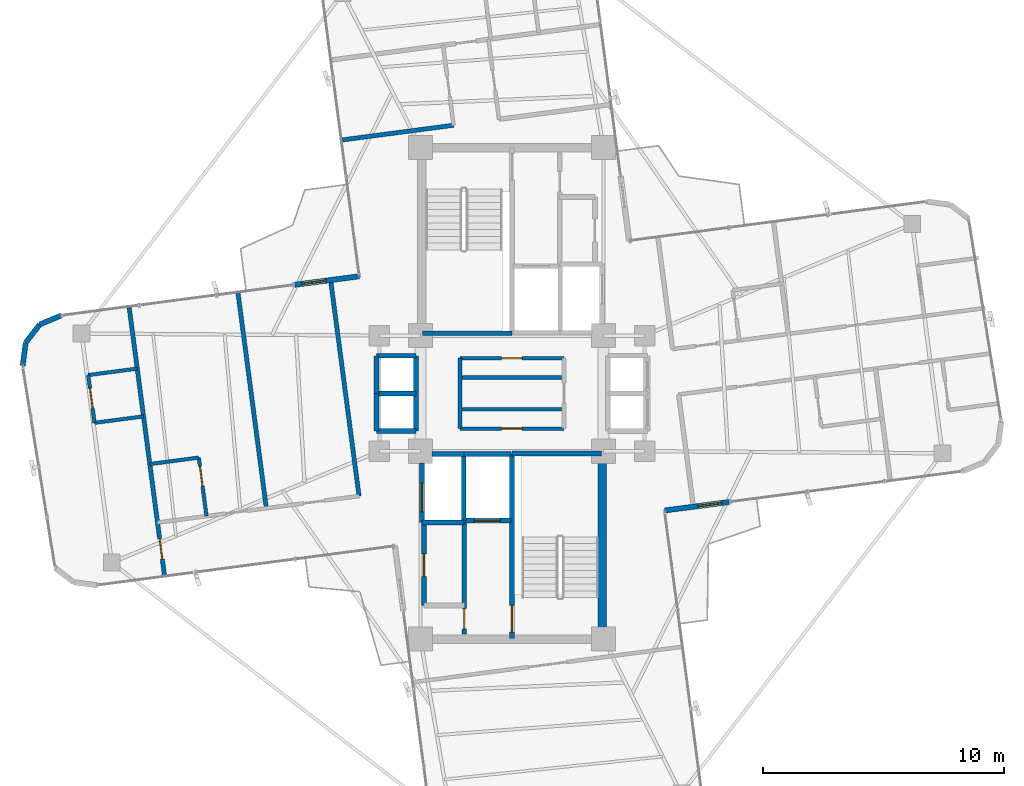
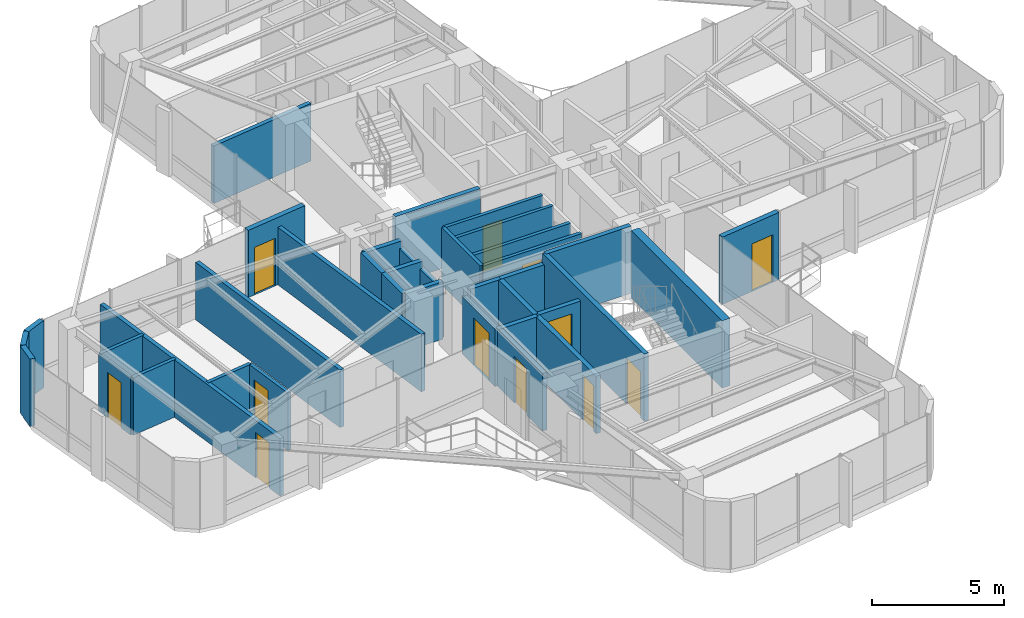
# One storey, part 18 of 21: 37 walls, 12 doors, 12 openings.
"""IFC4 building model written with IfcOpenShell, lengths in metres."""

from ifc_helpers import new_model, si_unit, direction, frame, frame_2d, origin, origin_2d, place, context, subcontext, project, spatial, rectangle, extrude, source, transform, mapped, material, layer, layer_set, type_object, element, fill, save


model = new_model("IFC4")

# Units and contexts
model_context = context("Model", 3, precision=1e-05, world=origin(), true_north=direction((0.0, 1.0)))
body_context = subcontext(model_context, "Body", "Model", "MODEL_VIEW")
ifc_project = project(units=[si_unit("LENGTHUNIT", "METRE"), si_unit("AREAUNIT", "SQUARE_METRE"), si_unit("VOLUMEUNIT", "CUBIC_METRE"), si_unit("PLANEANGLEUNIT", "RADIAN"), si_unit("MASSUNIT", "GRAM", prefix="KILO")], contexts=[model_context])

# Site, building, storey
site_placement = place(None, origin())
site = spatial("IfcSite", under=ifc_project, at=site_placement, CompositionType="ELEMENT")
building_placement = place(site_placement, origin())
building = spatial("IfcBuilding", under=site, at=building_placement, Name="Sahyath Konkavel Grand Hotel", CompositionType="ELEMENT")
storey_placement = place(building_placement, frame((0.0, 0.0, 219.89990234375)))
storey = spatial("IfcBuildingStorey", under=building, at=storey_placement, Name="L61", CompositionType="ELEMENT", Elevation=219.89990234375)

# Wall
ifc_material_1 = material(Name="Concrete C40/50", Category="concrete")
ifc_layer_1 = layer(ifc_material_1, 0.35009765625)
ifc_layer_set_1 = layer_set([ifc_layer_1], Name="Concrete C40/50")
wall_type_1 = type_object("IfcWallType", Name="CWALL-350", PredefinedType="SHEAR", material=ifc_layer_set_1)
wall_1_placement = place(storey_placement, frame((3.739990234375, -9.75, 0.0), z_axis=(0.0, 0.0, 1.0), x_axis=(0.0, 1.0, 0.0)))
element("IfcWall", 1, at=wall_1_placement, inside=storey, type_object=wall_type_1, Name="L61 South Core Shear Wall E", PredefinedType="SHEAR", context=body_context, shape_type="SweptSolid", body=[
    extrude(rectangle(XDim=6.89990234375, YDim=0.35009765625, at=frame_2d((3.449951171875, 0.0))), origin(), (0.0, 0.0, 1.0), 3.110107421875),
])

# Wall, opening, door
ifc_material_2 = material(Name="Warm Buff Sandstone Insulated Concrete C40/50", Category="masonry")
ifc_layer_2 = layer(ifc_material_2, 0.219970703125)
ifc_layer_set_2 = layer_set([ifc_layer_2], Name="Warm Buff Sandstone Insulated Concrete C40/50")
wall_type_2 = type_object("IfcWallType", Name="WLL-BALC-THRESH", PredefinedType="STANDARD", material=ifc_layer_set_2)
wall_2_placement = place(storey_placement, frame((6.334716796875, -4.860595703125, 0.0), z_axis=(0.0, 0.0, 1.0), x_axis=(0.991449985986, 0.130487261016, 0.0)))
wall_2 = element("IfcWall", 2, at=wall_2_placement, inside=storey, type_object=wall_type_2, Name="L61 Winter-Garden Threshold Wall 0", PredefinedType="STANDARD", context=body_context, shape_type="SweptSolid", body=[
    extrude(rectangle(XDim=2.699951171875, YDim=0.219970703125, at=frame_2d((1.35009765625, 0.0))), origin(), (0.0, 0.0, 1.0), 3.110107421875),
])
opening_1_placement = place(wall_2_placement, frame((1.39990234375, 0.0, 0.0)))
opening_1 = element("IfcOpeningElement", 3, at=opening_1_placement, cuts=wall_2, Name="Opening D-TR1", PredefinedType="OPENING", context=body_context, shape_type="SweptSolid", body=[
    extrude(rectangle(XDim=1.0, YDim=2.199951171875, at=frame_2d((0.5, 1.10009765625))), frame((0.0, 0.1201171875, 0.0), z_axis=(0.0, -1.0, 0.0), x_axis=(1.0, 0.0, 0.0)), (0.0, 0.0, 1.0), 0.239990234375),
])
ifc_material_3 = material(Name="Anodised Bronze Aluminium & Low-E Glazing", Category="aluminium")
door_type_1 = type_object("IfcDoorType", Name="DR-TERRACE-1000", OperationType="NOTDEFINED", PredefinedType="DOOR", material=ifc_material_3)
shared_shape_1 = source(origin(), body_context, "Body", "SweptSolid", [
    extrude(rectangle(XDim=1.0, YDim=0.050048828125, at=origin_2d()), origin(), (0.0, 0.0, 1.0), 2.199951171875),
])
door_1_placement = place(opening_1_placement, frame((0.5, 0.0, 0.0)))
door_1 = element("IfcDoor", 4, at=door_1_placement, inside=storey, type_object=door_type_1, Name="L61 Winter-Garden Terrace Door 0", OperationType="SINGLE_SWING_LEFT", OverallHeight=2.199951171875, OverallWidth=1.0, PredefinedType="DOOR", context=body_context, shape_type="MappedRepresentation", body=[
    mapped(shared_shape_1, transform((0.0, 0.0, 0.0), scale=1.0)),
])
fill(opening_1, door_1)

wall_3_placement = place(storey_placement, frame((-6.334716796875, 4.860595703125, 0.0), z_axis=(0.0, 0.0, 1.0), x_axis=(-0.991449985986, -0.130487261016, 0.0)))
wall_3 = element("IfcWall", 5, at=wall_3_placement, inside=storey, type_object=wall_type_2, Name="L61 Winter-Garden Threshold Wall 16", PredefinedType="STANDARD", context=body_context, shape_type="SweptSolid", body=[
    extrude(rectangle(XDim=2.699951171875, YDim=0.219970703125, at=frame_2d((1.35009765625, 0.0))), origin(), (0.0, 0.0, 1.0), 3.110107421875),
])
opening_2_placement = place(wall_3_placement, frame((1.39990234375, 0.0, 0.0)))
opening_2 = element("IfcOpeningElement", 6, at=opening_2_placement, cuts=wall_3, Name="Opening D-TR1", PredefinedType="OPENING", context=body_context, shape_type="SweptSolid", body=[
    extrude(rectangle(XDim=1.0, YDim=2.199951171875, at=frame_2d((0.5, 1.10009765625))), frame((0.0, 0.1201171875, 0.0), z_axis=(0.0, -1.0, 0.0), x_axis=(1.0, 0.0, 0.0)), (0.0, 0.0, 1.0), 0.239990234375),
])
door_2_placement = place(opening_2_placement, frame((0.5, 0.0, 0.0)))
door_2 = element("IfcDoor", 7, at=door_2_placement, inside=storey, type_object=door_type_1, Name="L61 Winter-Garden Terrace Door 16", OperationType="SINGLE_SWING_LEFT", OverallHeight=2.199951171875, OverallWidth=1.0, PredefinedType="DOOR", context=body_context, shape_type="MappedRepresentation", body=[
    mapped(shared_shape_1, transform((0.0, 0.0, 0.0), scale=1.0)),
])
fill(opening_2, door_2)

# Walls
wall_4_placement = place(storey_placement, frame((-18.71875, 3.230224609375, 0.0), z_axis=(0.0, 0.0, 1.0), x_axis=(-0.923979554509, -0.382441868588, 0.0)))
element("IfcWall", 8, at=wall_4_placement, inside=storey, type_object=wall_type_2, Name="L61 Rounded Corner Sandstone Pier 17", PredefinedType="STANDARD", context=body_context, shape_type="SweptSolid", body=[
    extrude(rectangle(XDim=0.95751953125, YDim=0.219970703125, at=frame_2d((0.478759765625, 0.0))), origin(), (0.0, 0.0, 1.0), 3.110107421875),
])
wall_5_placement = place(storey_placement, frame((-19.603515625, 2.864013671875, 0.0), z_axis=(0.0, 0.0, 1.0), x_axis=(-0.60865090536, -0.79343813584, 0.0)))
element("IfcWall", 9, at=wall_5_placement, inside=storey, type_object=wall_type_2, Name="L61 Rounded Corner Sandstone Pier 18", PredefinedType="STANDARD", context=body_context, shape_type="SweptSolid", body=[
    extrude(rectangle(XDim=0.957763671875, YDim=0.219970703125, at=frame_2d((0.47900390625, 0.0))), origin(), (0.0, 0.0, 1.0), 3.110107421875),
])
wall_6_placement = place(storey_placement, frame((-20.1865234375, 2.10400390625, 0.0), z_axis=(0.0, 0.0, 1.0), x_axis=(-0.13056005306, -0.991440402921, 0.0)))
element("IfcWall", 10, at=wall_6_placement, inside=storey, type_object=wall_type_2, Name="L61 Rounded Corner Sandstone Pier 19", PredefinedType="STANDARD", context=body_context, shape_type="SweptSolid", body=[
    extrude(rectangle(XDim=0.95751953125, YDim=0.219970703125, at=frame_2d((0.478759765625, 0.0))), origin(), (0.0, 0.0, 1.0), 3.110107421875),
])
ifc_layer_3 = layer(ifc_material_1, 0.199951171875)
ifc_layer_set_3 = layer_set([ifc_layer_3], Name="Concrete C40/50")
wall_type_3 = type_object("IfcWallType", Name="WLL-CORE-200", PredefinedType="SOLIDWALL", material=ifc_layer_set_3)
wall_7_placement = place(storey_placement, frame((-3.719970703125, 2.5, 0.0), z_axis=(0.0, 0.0, 1.0), x_axis=(1.0, 0.0, 0.0)))
element("IfcWall", 11, at=wall_7_placement, inside=storey, type_object=wall_type_3, Name="L61 Stair ST-1 Shaft Wall S", PredefinedType="SOLIDWALL", context=body_context, shape_type="SweptSolid", body=[
    extrude(rectangle(XDim=3.719970703125, YDim=0.199951171875, at=frame_2d((1.85986328125, 0.0))), origin(), (0.0, 0.0, 1.0), 3.110107421875),
])

# Wall, opening, door
wall_8_placement = place(storey_placement, frame((0.0, -10.179931640625, 0.0), z_axis=(0.0, 0.0, 1.0), x_axis=(0.0, 1.0, 0.0)))
wall_8 = element("IfcWall", 12, at=wall_8_placement, inside=storey, type_object=wall_type_3, Name="L61 Stair ST-2 Shaft Wall W", PredefinedType="SOLIDWALL", context=body_context, shape_type="SweptSolid", body=[
    extrude(rectangle(XDim=7.679931640625, YDim=0.199951171875, at=frame_2d((3.83984375, 0.0))), origin(), (0.0, 0.0, 1.0), 3.110107421875),
])
opening_3_placement = place(wall_8_placement, frame((0.280029296875, 0.0, 0.0)))
opening_3 = element("IfcOpeningElement", 13, at=opening_3_placement, cuts=wall_8, Name="Opening D-F12B", PredefinedType="OPENING", context=body_context, shape_type="SweptSolid", body=[
    extrude(rectangle(XDim=1.10009765625, YDim=2.14990234375, at=frame_2d((0.550048828125, 1.074951171875))), frame((0.0, 0.10986328125, 0.0), z_axis=(0.0, -1.0, 0.0), x_axis=(1.0, 0.0, 0.0)), (0.0, 0.0, 1.0), 0.219970703125),
])
ifc_material_4 = material(Name="Steel E350 Smokeproof Fire Door", Category="steel")
door_type_2 = type_object("IfcDoorType", Name="DR-FD120-1100", OperationType="NOTDEFINED", PredefinedType="DOOR", material=ifc_material_4)
shared_shape_2 = source(origin(), body_context, "Body", "SweptSolid", [
    extrude(rectangle(XDim=1.10009765625, YDim=0.050048828125, at=origin_2d()), origin(), (0.0, 0.0, 1.0), 2.14990234375),
])
door_3_placement = place(opening_3_placement, frame((0.550048828125, 0.0, 0.0)))
door_3 = element("IfcDoor", 14, at=door_3_placement, inside=storey, type_object=door_type_2, Name="L61 Stair ST-2 Fire Door", OperationType="SINGLE_SWING_RIGHT", OverallHeight=2.14990234375, OverallWidth=1.10009765625, PredefinedType="DOOR", context=body_context, shape_type="MappedRepresentation", body=[
    mapped(shared_shape_2, transform((0.0, 0.0, 0.0), scale=1.0)),
])
fill(opening_3, door_3)

# Wall
wall_9_placement = place(storey_placement, frame((0.0, -2.5, 0.0), z_axis=(0.0, 0.0, 1.0), x_axis=(1.0, 0.0, 0.0)))
element("IfcWall", 15, at=wall_9_placement, inside=storey, type_object=wall_type_3, Name="L61 Stair ST-2 Shaft Wall N", PredefinedType="SOLIDWALL", context=body_context, shape_type="SweptSolid", body=[
    extrude(rectangle(XDim=3.719970703125, YDim=0.199951171875, at=frame_2d((1.85986328125, 0.0))), origin(), (0.0, 0.0, 1.0), 3.110107421875),
])

# Wall, opening, door
wall_10_placement = place(storey_placement, frame((-1.97998046875, -9.97998046875, 0.0), z_axis=(0.0, 0.0, 1.0), x_axis=(0.0, 1.0, 0.0)))
wall_10 = element("IfcWall", 16, at=wall_10_placement, inside=storey, type_object=wall_type_3, Name="L61 South Firefighting Lobby Wall W", PredefinedType="SOLIDWALL", context=body_context, shape_type="SweptSolid", body=[
    extrude(rectangle(XDim=4.659912109375, YDim=0.199951171875, at=frame_2d((2.330078125, 0.0))), origin(), (0.0, 0.0, 1.0), 2.66015625),
])
opening_4_placement = place(wall_10_placement, frame((0.199951171875, 0.0, 0.0)))
opening_4 = element("IfcOpeningElement", 17, at=opening_4_placement, cuts=wall_10, Name="Opening D-F12D", PredefinedType="OPENING", context=body_context, shape_type="SweptSolid", body=[
    extrude(rectangle(XDim=0.85009765625, YDim=2.10009765625, at=frame_2d((0.425048828125, 1.050048828125))), frame((0.0, 0.10986328125, 0.0), z_axis=(0.0, -1.0, 0.0), x_axis=(1.0, 0.0, 0.0)), (0.0, 0.0, 1.0), 0.219970703125),
])
ifc_material_5 = material(Name="Steel E350 Core Fire Door", Category="steel")
door_type_3 = type_object("IfcDoorType", Name="DR-FD120-850", OperationType="NOTDEFINED", PredefinedType="DOOR", material=ifc_material_5)
shared_shape_3 = source(origin(), body_context, "Body", "SweptSolid", [
    extrude(rectangle(XDim=0.85009765625, YDim=0.050048828125, at=origin_2d()), origin(), (0.0, 0.0, 1.0), 2.10009765625),
])
door_4_placement = place(opening_4_placement, frame((0.425048828125, 0.0, 0.0)))
door_4 = element("IfcDoor", 18, at=door_4_placement, inside=storey, type_object=door_type_3, Name="L61 South Firefighting Lobby Door", OperationType="SINGLE_SWING_RIGHT", OverallHeight=2.10009765625, OverallWidth=0.85009765625, PredefinedType="DOOR", context=body_context, shape_type="MappedRepresentation", body=[
    mapped(shared_shape_3, transform((0.0, 0.0, 0.0), scale=1.0)),
])
fill(opening_4, door_4)

# Walls
wall_11_placement = place(storey_placement, frame((-2.0, -5.280029296875, 0.0), z_axis=(0.0, 0.0, 1.0), x_axis=(0.0, 1.0, 0.0)))
element("IfcWall", 19, at=wall_11_placement, inside=storey, type_object=wall_type_3, Name="L61 Partition SH-FFL2-W", PredefinedType="SOLIDWALL", context=body_context, shape_type="SweptSolid", body=[
    extrude(rectangle(XDim=2.780029296875, YDim=0.199951171875, at=frame_2d((1.39013671875, 0.0))), origin(), (0.0, 0.0, 1.0), 2.66015625),
])
wall_12_placement = place(storey_placement, frame((-2.0, -2.52001953125, 0.0), z_axis=(0.0, 0.0, 1.0), x_axis=(1.0, 0.0, 0.0)))
element("IfcWall", 20, at=wall_12_placement, inside=storey, type_object=wall_type_3, Name="L61 Partition SH-FFL2-N", PredefinedType="SOLIDWALL", context=body_context, shape_type="SweptSolid", body=[
    extrude(rectangle(XDim=1.949951171875, YDim=0.199951171875, at=frame_2d((0.97509765625, 0.0))), origin(), (0.0, 0.0, 1.0), 2.66015625),
])

# Wall, opening, door
wall_13_placement = place(storey_placement, frame((-1.97998046875, -5.280029296875, 0.0), z_axis=(0.0, 0.0, 1.0), x_axis=(1.0, 0.0, 0.0)))
wall_13 = element("IfcWall", 21, at=wall_13_placement, inside=storey, type_object=wall_type_3, Name="L61 Partition SH-FFL2-S", PredefinedType="SOLIDWALL", context=body_context, shape_type="SweptSolid", body=[
    extrude(rectangle(XDim=1.929931640625, YDim=0.199951171875, at=frame_2d((0.96484375, 0.0))), origin(), (0.0, 0.0, 1.0), 2.66015625),
])
opening_5_placement = place(wall_13_placement, frame((0.39990234375, 0.0, 0.0)))
opening_5 = element("IfcOpeningElement", 22, at=opening_5_placement, cuts=wall_13, Name="Opening LD-11", PredefinedType="OPENING", context=body_context, shape_type="SweptSolid", body=[
    extrude(rectangle(XDim=1.10009765625, YDim=2.199951171875, at=frame_2d((0.550048828125, 1.10009765625))), frame((0.0, 0.10986328125, 0.0), z_axis=(0.0, -1.0, 0.0), x_axis=(1.0, 0.0, 0.0)), (0.0, 0.0, 1.0), 0.219970703125),
])
ifc_material_6 = material(Name="Bronze Lift Landing Door 1100")
door_type_4 = type_object("IfcDoorType", Name="DR-LIFT-1100", OperationType="DOUBLE_DOOR_SLIDING", PredefinedType="DOOR", material=ifc_material_6)
shared_shape_4 = source(origin(), body_context, "Body", "SweptSolid", [
    extrude(rectangle(XDim=1.10009765625, YDim=0.050048828125, at=origin_2d()), origin(), (0.0, 0.0, 1.0), 2.199951171875),
])
door_5_placement = place(opening_5_placement, frame((0.550048828125, 0.0, 0.0)))
door_5 = element("IfcDoor", 23, at=door_5_placement, inside=storey, type_object=door_type_4, Name="L61 Lift FFL-2 Landing Door", OperationType="DOUBLE_DOOR_SLIDING", OverallHeight=2.199951171875, OverallWidth=1.10009765625, PredefinedType="DOOR", context=body_context, shape_type="MappedRepresentation", body=[
    mapped(shared_shape_4, transform((0.0, 0.0, 0.0), scale=1.0)),
])
fill(opening_5, door_5)

# Walls
wall_14_placement = place(storey_placement, frame((-3.320068359375, -2.52001953125, 0.0), z_axis=(0.0, 0.0, 1.0), x_axis=(1.0, 0.0, 0.0)))
element("IfcWall", 24, at=wall_14_placement, inside=storey, type_object=wall_type_3, Name="L61 Partition SH-SVL2-N", PredefinedType="SOLIDWALL", context=body_context, shape_type="SweptSolid", body=[
    extrude(rectangle(XDim=1.320068359375, YDim=0.199951171875, at=frame_2d((0.66015625, 0.0))), origin(), (0.0, 0.0, 1.0), 2.66015625),
])
wall_15_placement = place(storey_placement, frame((-3.739990234375, -5.360107421875, 0.0), z_axis=(0.0, 0.0, 1.0), x_axis=(1.0, 0.0, 0.0)))
element("IfcWall", 25, at=wall_15_placement, inside=storey, type_object=wall_type_3, Name="L61 Partition SH-SVL2-S", PredefinedType="SOLIDWALL", context=body_context, shape_type="SweptSolid", body=[
    extrude(rectangle(XDim=1.739990234375, YDim=0.199951171875, at=frame_2d((0.8701171875, 0.0))), origin(), (0.0, 0.0, 1.0), 2.66015625),
])

# Wall, opening, door
wall_16_placement = place(storey_placement, frame((-3.739990234375, -5.360107421875, 0.0), z_axis=(0.0, 0.0, 1.0), x_axis=(0.0, 1.0, 0.0)))
wall_16 = element("IfcWall", 26, at=wall_16_placement, inside=storey, type_object=wall_type_3, Name="L61 Partition SH-SVL2-W", PredefinedType="SOLIDWALL", context=body_context, shape_type="SweptSolid", body=[
    extrude(rectangle(XDim=2.480224609375, YDim=0.199951171875, at=frame_2d((1.240234375, 0.0))), origin(), (0.0, 0.0, 1.0), 2.66015625),
])
opening_6_placement = place(wall_16_placement, frame((0.43994140625, 0.0, 0.0)))
opening_6 = element("IfcOpeningElement", 27, at=opening_6_placement, cuts=wall_16, Name="Opening LD-12", PredefinedType="OPENING", context=body_context, shape_type="SweptSolid", body=[
    extrude(rectangle(XDim=1.199951171875, YDim=2.199951171875, at=frame_2d((0.60009765625, 1.10009765625))), frame((0.0, 0.10986328125, 0.0), z_axis=(0.0, -1.0, 0.0), x_axis=(1.0, 0.0, 0.0)), (0.0, 0.0, 1.0), 0.219970703125),
])
ifc_material_7 = material(Name="Stainless Steel Lift Landing Door 1200", Category="steel")
door_type_5 = type_object("IfcDoorType", Name="DR-LIFT-1200", OperationType="DOUBLE_DOOR_SLIDING", PredefinedType="DOOR", material=ifc_material_7)
shared_shape_5 = source(origin(), body_context, "Body", "SweptSolid", [
    extrude(rectangle(XDim=1.199951171875, YDim=0.050048828125, at=origin_2d()), origin(), (0.0, 0.0, 1.0), 2.199951171875),
])
door_6_placement = place(opening_6_placement, frame((0.60009765625, 0.0, 0.0)))
door_6 = element("IfcDoor", 28, at=door_6_placement, inside=storey, type_object=door_type_5, Name="L61 Service Lift SVL-2 Landing Door", OperationType="DOUBLE_DOOR_SLIDING", OverallHeight=2.199951171875, OverallWidth=1.199951171875, PredefinedType="DOOR", context=body_context, shape_type="MappedRepresentation", body=[
    mapped(shared_shape_5, transform((0.0, 0.0, 0.0), scale=1.0)),
])
fill(opening_6, door_6)

# Walls
wall_17_placement = place(storey_placement, frame((-3.97998046875, -1.56005859375, 0.0), z_axis=(0.0, 0.0, 1.0), x_axis=(0.0, 1.0, 0.0)))
element("IfcWall", 29, at=wall_17_placement, inside=storey, type_object=wall_type_3, Name="L61 Partition SH-SL12-E", PredefinedType="SOLIDWALL", context=body_context, shape_type="SweptSolid", body=[
    extrude(rectangle(XDim=3.1201171875, YDim=0.199951171875, at=frame_2d((1.56005859375, 0.0))), origin(), (0.0, 0.0, 1.0), 2.330078125),
])
for number, where, z_axis, x_axis, name in (
    (30, (-5.6201171875, 1.56005859375, 0.0), (0.0, 0.0, 1.0), (1.0, 0.0, 0.0), "L61 Partition SH-SL12-N"),
    (31, (-5.6201171875, -1.56005859375, 0.0), (0.0, 0.0, 1.0), (1.0, 0.0, 0.0), "L61 Partition SH-SL12-S"),
    (32, (-5.6201171875, 0.0, 0.0), (0.0, 0.0, 1.0), (1.0, 0.0, 0.0), "L61 Partition SH-SL12-M"),
):
    element("IfcWall", number, at=place(storey_placement, frame(where, z_axis=z_axis, x_axis=x_axis)), inside=storey, type_object=wall_type_3, Name=name, PredefinedType="SOLIDWALL", context=body_context, shape_type="SweptSolid", body=[
        extrude(rectangle(XDim=1.64013671875, YDim=0.199951171875, at=frame_2d((0.820068359375, 0.0))), origin(), (0.0, 0.0, 1.0), 2.66015625),
    ])
for number, where, z_axis, x_axis, name in (
    (33, (-5.6201171875, 0.0, 0.0), (0.0, 0.0, 1.0), (0.0, 1.0, 0.0), "L61 Partition SH-SL1-W"),
    (34, (-5.6201171875, -1.56005859375, 0.0), (0.0, 0.0, 1.0), (0.0, 1.0, 0.0), "L61 Partition SH-SL2-W"),
):
    element("IfcWall", number, at=place(storey_placement, frame(where, z_axis=z_axis, x_axis=x_axis)), inside=storey, type_object=wall_type_3, Name=name, PredefinedType="SOLIDWALL", context=body_context, shape_type="SweptSolid", body=[
        extrude(rectangle(XDim=1.56005859375, YDim=0.199951171875, at=frame_2d((0.780029296875, 0.0))), origin(), (0.0, 0.0, 1.0), 2.66015625),
    ])

# Wall, opening, door
wall_18_placement = place(storey_placement, frame((-3.64990234375, -8.81005859375, 0.0), z_axis=(0.0, 0.0, 1.0), x_axis=(0.0, 1.0, 0.0)))
wall_18 = element("IfcWall", 35, at=wall_18_placement, inside=storey, type_object=wall_type_3, Name="L61 Reclaimed South Core Wall W", PredefinedType="SOLIDWALL", context=body_context, shape_type="SweptSolid", body=[
    extrude(rectangle(XDim=3.43017578125, YDim=0.199951171875, at=frame_2d((1.715087890625, 0.0))), origin(), (0.0, 0.0, 1.0), 2.66015625),
])
opening_7_placement = place(wall_18_placement, frame((1.199951171875, 0.0, 0.0)))
opening_7 = element("IfcOpeningElement", 36, at=opening_7_placement, cuts=wall_18, Name="Opening D-AC95", PredefinedType="OPENING", context=body_context, shape_type="SweptSolid", body=[
    extrude(rectangle(XDim=0.949951171875, YDim=2.14990234375, at=frame_2d((0.47509765625, 1.074951171875))), frame((0.0, 0.10986328125, 0.0), z_axis=(0.0, -1.0, 0.0), x_axis=(1.0, 0.0, 0.0)), (0.0, 0.0, 1.0), 0.219970703125),
])
ifc_material_8 = material(Name="Accessible Washroom Timber Door", Category="wood")
door_type_6 = type_object("IfcDoorType", Name="DR-ACC-950", OperationType="NOTDEFINED", PredefinedType="DOOR", material=ifc_material_8)
shared_shape_6 = source(origin(), body_context, "Body", "SweptSolid", [
    extrude(rectangle(XDim=0.949951171875, YDim=0.050048828125, at=origin_2d()), origin(), (0.0, 0.0, 1.0), 2.14990234375),
])
door_7_placement = place(opening_7_placement, frame((0.47509765625, 0.0, 0.0)))
door_7 = element("IfcDoor", 37, at=door_7_placement, inside=storey, type_object=door_type_6, Name="L61 Door SC-REC1-D", OperationType="SINGLE_SWING_RIGHT", OverallHeight=2.14990234375, OverallWidth=0.949951171875, PredefinedType="DOOR", context=body_context, shape_type="MappedRepresentation", body=[
    mapped(shared_shape_6, transform((0.0, 0.0, 0.0), scale=1.0)),
])
fill(opening_7, door_7)

# Walls
ifc_material_9 = material(Name="Twin-Stud Acoustic Gypsum Plasterboard Partition")
ifc_layer_4 = layer(ifc_material_9, 0.179931640625)
ifc_layer_set_4 = layer_set([ifc_layer_4], Name="Twin-Stud Acoustic Gypsum Plasterboard Partition")
wall_type_4 = type_object("IfcWallType", Name="WLL-DEMISE-180", PredefinedType="PARTITIONING", material=ifc_layer_set_4)
wall_19_placement = place(storey_placement, frame((-2.42333984375, 11.12890625, 0.0), z_axis=(0.0, 0.0, 1.0), x_axis=(-0.991444097486, -0.13053199439, 0.0)))
element("IfcWall", 38, at=wall_19_placement, inside=storey, type_object=wall_type_4, Name="L61 Partition N-INL", PredefinedType="PARTITIONING", context=body_context, shape_type="SweptSolid", body=[
    extrude(rectangle(XDim=4.64599609375, YDim=0.179931640625, at=frame_2d((2.322998046875, 0.0))), origin(), (0.0, 0.0, 1.0), 2.66015625),
])
for number, where, z_axis, x_axis, name in (
    (39, (-7.521728515625, 4.654052734375, 0.0), (0.0, 0.0, 1.0), (0.130514913627, -0.991446346163, 0.0), "L61 Partition W-G5I"),
    (40, (-10.19580078125, -4.767578125, 0.0), (0.0, 0.0, 1.0), (-0.130541602003, 0.991442832516, 0.0), "L61 Partition W-WD1-DEM"),
):
    element("IfcWall", number, at=place(storey_placement, frame(where, z_axis=z_axis, x_axis=x_axis)), inside=storey, type_object=wall_type_4, Name=name, PredefinedType="PARTITIONING", context=body_context, shape_type="SweptSolid", body=[
        extrude(rectangle(XDim=8.991943359375, YDim=0.179931640625, at=frame_2d((4.49609375, 0.0))), origin(), (0.0, 0.0, 1.0), 2.66015625),
    ])

# Wall, opening, door
wall_20_placement = place(storey_placement, frame((-15.88671875, 3.552734375, 0.0), z_axis=(0.0, 0.0, 1.0), x_axis=(0.130534640152, -0.991443749146, 0.0)))
wall_20 = element("IfcWall", 41, at=wall_20_placement, inside=storey, type_object=wall_type_4, Name="L61 Partition W-WTIP-END", PredefinedType="PARTITIONING", context=body_context, shape_type="SweptSolid", body=[
    extrude(rectangle(XDim=11.19189453125, YDim=0.179931640625, at=frame_2d((5.595947265625, 0.0))), origin(), (0.0, 0.0, 1.0), 2.66015625),
])
opening_8_placement = place(wall_20_placement, frame((9.6669921875, 0.0, 0.0)))
opening_8 = element("IfcOpeningElement", 42, at=opening_8_placement, cuts=wall_20, Name="Opening D-F06D", PredefinedType="OPENING", context=body_context, shape_type="SweptSolid", body=[
    extrude(rectangle(XDim=0.85009765625, YDim=2.10009765625, at=frame_2d((0.425048828125, 1.050048828125))), frame((0.0, 0.10009765625, 0.0), z_axis=(0.0, -1.0, 0.0), x_axis=(1.0, 0.0, 0.0)), (0.0, 0.0, 1.0), 0.199951171875),
])
ifc_material_10 = material(Name="Fire-Rated Shaft Access Door")
door_type_7 = type_object("IfcDoorType", Name="DR-FD60-850", OperationType="NOTDEFINED", PredefinedType="DOOR", material=ifc_material_10)
door_8_placement = place(opening_8_placement, frame((0.425048828125, 0.0, 0.0)))
door_8 = element("IfcDoor", 43, at=door_8_placement, inside=storey, type_object=door_type_7, Name="L61 Door W-WTIP-ED", OperationType="SINGLE_SWING_RIGHT", OverallHeight=2.10009765625, OverallWidth=0.85009765625, PredefinedType="DOOR", context=body_context, shape_type="MappedRepresentation", body=[
    mapped(shared_shape_3, transform((0.0, 0.0, 0.0), scale=1.0)),
])
fill(opening_8, door_8)

# Wall
ifc_material_11 = material(Name="Fire-Rated Gypsum Plasterboard Partition")
ifc_layer_5 = layer(ifc_material_11, 0.14990234375)
ifc_layer_set_5 = layer_set([ifc_layer_5], Name="Fire-Rated Gypsum Plasterboard Partition")
wall_type_5 = type_object("IfcWallType", Name="WLL-PART-150", PredefinedType="PARTITIONING", material=ifc_layer_set_5)
wall_21_placement = place(storey_placement, frame((-2.159912109375, -1.4599609375, 0.0), z_axis=(0.0, 0.0, 1.0), x_axis=(0.0, 1.0, 0.0)))
element("IfcWall", 44, at=wall_21_placement, inside=storey, type_object=wall_type_5, Name="L61 Partition CC-2W", PredefinedType="PARTITIONING", context=body_context, shape_type="SweptSolid", body=[
    extrude(rectangle(XDim=2.919921875, YDim=0.14990234375, at=frame_2d((1.4599609375, 0.0))), origin(), (0.0, 0.0, 1.0), 2.66015625),
])

# Wall, opening, door
wall_22_placement = place(storey_placement, frame((-2.159912109375, 1.4599609375, 0.0), z_axis=(0.0, 0.0, 1.0), x_axis=(1.0, 0.0, 0.0)))
wall_22 = element("IfcWall", 45, at=wall_22_placement, inside=storey, type_object=wall_type_5, Name="L61 Partition CC-2N", PredefinedType="PARTITIONING", context=body_context, shape_type="SweptSolid", body=[
    extrude(rectangle(XDim=4.31982421875, YDim=0.14990234375, at=frame_2d((2.159912109375, 0.0))), origin(), (0.0, 0.0, 1.0), 2.66015625),
])
opening_9_placement = place(wall_22_placement, frame((1.72998046875, 0.0, 0.0)))
opening_9 = element("IfcOpeningElement", 46, at=opening_9_placement, cuts=wall_22, Name="Opening D-F06D", PredefinedType="OPENING", context=body_context, shape_type="SweptSolid", body=[
    extrude(rectangle(XDim=0.85009765625, YDim=2.10009765625, at=frame_2d((0.425048828125, 1.050048828125))), frame((0.0, 0.0849609375, 0.0), z_axis=(0.0, -1.0, 0.0), x_axis=(1.0, 0.0, 0.0)), (0.0, 0.0, 1.0), 0.169921875),
])
door_9_placement = place(opening_9_placement, frame((0.425048828125, 0.0, 0.0)))
door_9 = element("IfcDoor", 47, at=door_9_placement, inside=storey, type_object=door_type_7, Name="L61 Door CC-D2A", OperationType="SINGLE_SWING_LEFT", OverallHeight=2.10009765625, OverallWidth=0.85009765625, PredefinedType="DOOR", context=body_context, shape_type="MappedRepresentation", body=[
    mapped(shared_shape_3, transform((0.0, 0.0, 0.0), scale=1.0)),
])
fill(opening_9, door_9)

wall_23_placement = place(storey_placement, frame((-2.159912109375, -1.4599609375, 0.0), z_axis=(0.0, 0.0, 1.0), x_axis=(1.0, 0.0, 0.0)))
wall_23 = element("IfcWall", 48, at=wall_23_placement, inside=storey, type_object=wall_type_5, Name="L61 Partition CC-2S", PredefinedType="PARTITIONING", context=body_context, shape_type="SweptSolid", body=[
    extrude(rectangle(XDim=4.31982421875, YDim=0.14990234375, at=frame_2d((2.159912109375, 0.0))), origin(), (0.0, 0.0, 1.0), 2.66015625),
])
opening_10_placement = place(wall_23_placement, frame((1.72998046875, 0.0, 0.0)))
opening_10 = element("IfcOpeningElement", 49, at=opening_10_placement, cuts=wall_23, Name="Opening D-F06D", PredefinedType="OPENING", context=body_context, shape_type="SweptSolid", body=[
    extrude(rectangle(XDim=0.85009765625, YDim=2.10009765625, at=frame_2d((0.425048828125, 1.050048828125))), frame((0.0, 0.0849609375, 0.0), z_axis=(0.0, -1.0, 0.0), x_axis=(1.0, 0.0, 0.0)), (0.0, 0.0, 1.0), 0.169921875),
])
door_10_placement = place(opening_10_placement, frame((0.425048828125, 0.0, 0.0)))
door_10 = element("IfcDoor", 50, at=door_10_placement, inside=storey, type_object=door_type_7, Name="L61 Door CC-D2C", OperationType="SINGLE_SWING_LEFT", OverallHeight=2.10009765625, OverallWidth=0.85009765625, PredefinedType="DOOR", context=body_context, shape_type="MappedRepresentation", body=[
    mapped(shared_shape_3, transform((0.0, 0.0, 0.0), scale=1.0)),
])
fill(opening_10, door_10)

# Walls
for number, where, z_axis, x_axis, name in (
    (51, (-2.159912109375, 0.659912109375, 0.0), (0.0, 0.0, 1.0), (1.0, 0.0, 0.0), "L61 Partition CC-2M1"),
    (52, (-2.159912109375, -0.659912109375, 0.0), (0.0, 0.0, 1.0), (1.0, 0.0, 0.0), "L61 Partition CC-2M2"),
):
    element("IfcWall", number, at=place(storey_placement, frame(where, z_axis=z_axis, x_axis=x_axis)), inside=storey, type_object=wall_type_5, Name=name, PredefinedType="PARTITIONING", context=body_context, shape_type="SweptSolid", body=[
        extrude(rectangle(XDim=4.31982421875, YDim=0.14990234375, at=frame_2d((2.159912109375, 0.0))), origin(), (0.0, 0.0, 1.0), 2.66015625),
    ])

# Wall, opening, door
wall_24_placement = place(storey_placement, frame((-12.680419921875, -5.0947265625, 0.0), z_axis=(0.0, 0.0, 1.0), x_axis=(-0.130544735166, 0.991442419972, 0.0)))
wall_24 = element("IfcWall", 53, at=wall_24_placement, inside=storey, type_object=wall_type_5, Name="L61 Partition W-WD2-BS", PredefinedType="PARTITIONING", context=body_context, shape_type="SweptSolid", body=[
    extrude(rectangle(XDim=2.449951171875, YDim=0.14990234375, at=frame_2d((1.22509765625, 0.0))), origin(), (0.0, 0.0, 1.0), 2.66015625),
])
opening_11_placement = place(wall_24_placement, frame((1.25, 0.0, 0.0)))
opening_11 = element("IfcOpeningElement", 54, at=opening_11_placement, cuts=wall_24, Name="Opening D-BT85", PredefinedType="OPENING", context=body_context, shape_type="SweptSolid", body=[
    extrude(rectangle(XDim=0.85009765625, YDim=2.10009765625, at=frame_2d((0.425048828125, 1.050048828125))), frame((0.0, 0.0849609375, 0.0), z_axis=(0.0, -1.0, 0.0), x_axis=(1.0, 0.0, 0.0)), (0.0, 0.0, 1.0), 0.169921875),
])
ifc_material_12 = material(Name="Moisture-Resistant Teak Bathroom Door")
door_type_8 = type_object("IfcDoorType", Name="DR-BATH-850", OperationType="NOTDEFINED", PredefinedType="DOOR", material=ifc_material_12)
door_11_placement = place(opening_11_placement, frame((0.425048828125, 0.0, 0.0)))
door_11 = element("IfcDoor", 55, at=door_11_placement, inside=storey, type_object=door_type_8, Name="L61 Door W-WD2-BD", OperationType="SINGLE_SWING_LEFT", OverallHeight=2.10009765625, OverallWidth=0.85009765625, PredefinedType="DOOR", context=body_context, shape_type="MappedRepresentation", body=[
    mapped(shared_shape_3, transform((0.0, 0.0, 0.0), scale=1.0)),
])
fill(opening_11, door_11)

# Walls
for number, where, z_axis, x_axis, name in (
    (56, (-13.000244140625, -2.665771484375, 0.0), (0.0, 0.0, 1.0), (-0.991444969909, -0.13052536781, 0.0), "L61 Partition W-WD2-BF"),
    (57, (-15.293212890625, -0.954345703125, 0.0), (0.0, 0.0, 1.0), (-0.991444969909, -0.13052536781, 0.0), "L61 Partition W-WTIP-BN"),
):
    element("IfcWall", number, at=place(storey_placement, frame(where, z_axis=z_axis, x_axis=x_axis)), inside=storey, type_object=wall_type_5, Name=name, PredefinedType="PARTITIONING", context=body_context, shape_type="SweptSolid", body=[
        extrude(rectangle(XDim=2.050048828125, YDim=0.14990234375, at=frame_2d((1.02490234375, 0.0))), origin(), (0.0, 0.0, 1.0), 2.66015625),
    ])
wall_25_placement = place(storey_placement, frame((-15.55419921875, 1.028564453125, 0.0), z_axis=(0.0, 0.0, 1.0), x_axis=(-0.991446998513, -0.130509958008, 0.0)))
element("IfcWall", 58, at=wall_25_placement, inside=storey, type_object=wall_type_5, Name="L61 Partition W-WTIP-BS", PredefinedType="PARTITIONING", context=body_context, shape_type="SweptSolid", body=[
    extrude(rectangle(XDim=2.05029296875, YDim=0.14990234375, at=frame_2d((1.025146484375, 0.0))), origin(), (0.0, 0.0, 1.0), 2.66015625),
])

# Wall, opening, door
wall_26_placement = place(storey_placement, frame((-17.5869140625, 0.760986328125, 0.0), z_axis=(0.0, 0.0, 1.0), x_axis=(0.130612392842, -0.991433509034, 0.0)))
wall_26 = element("IfcWall", 59, at=wall_26_placement, inside=storey, type_object=wall_type_5, Name="L61 Partition W-WTIP-BE", PredefinedType="PARTITIONING", context=body_context, shape_type="SweptSolid", body=[
    extrude(rectangle(XDim=2.0, YDim=0.14990234375, at=frame_2d((1.0, 0.0))), origin(), (0.0, 0.0, 1.0), 2.630126953125),
])
opening_12_placement = place(wall_26_placement, frame((0.550048828125, 0.0, 0.0)))
opening_12 = element("IfcOpeningElement", 60, at=opening_12_placement, cuts=wall_26, Name="Opening D-BT85", PredefinedType="OPENING", context=body_context, shape_type="SweptSolid", body=[
    extrude(rectangle(XDim=0.85009765625, YDim=2.10009765625, at=frame_2d((0.425048828125, 1.050048828125))), frame((0.0, 0.0849609375, 0.0), z_axis=(0.0, -1.0, 0.0), x_axis=(1.0, 0.0, 0.0)), (0.0, 0.0, 1.0), 0.169921875),
])
door_12_placement = place(opening_12_placement, frame((0.425048828125, 0.0, 0.0)))
door_12 = element("IfcDoor", 61, at=door_12_placement, inside=storey, type_object=door_type_8, Name="L61 Door W-WTIP-BD", OperationType="SINGLE_SWING_LEFT", OverallHeight=2.10009765625, OverallWidth=0.85009765625, PredefinedType="DOOR", context=body_context, shape_type="MappedRepresentation", body=[
    mapped(shared_shape_3, transform((0.0, 0.0, 0.0), scale=1.0)),
])
fill(opening_12, door_12)

save(model, "model.ifc")
